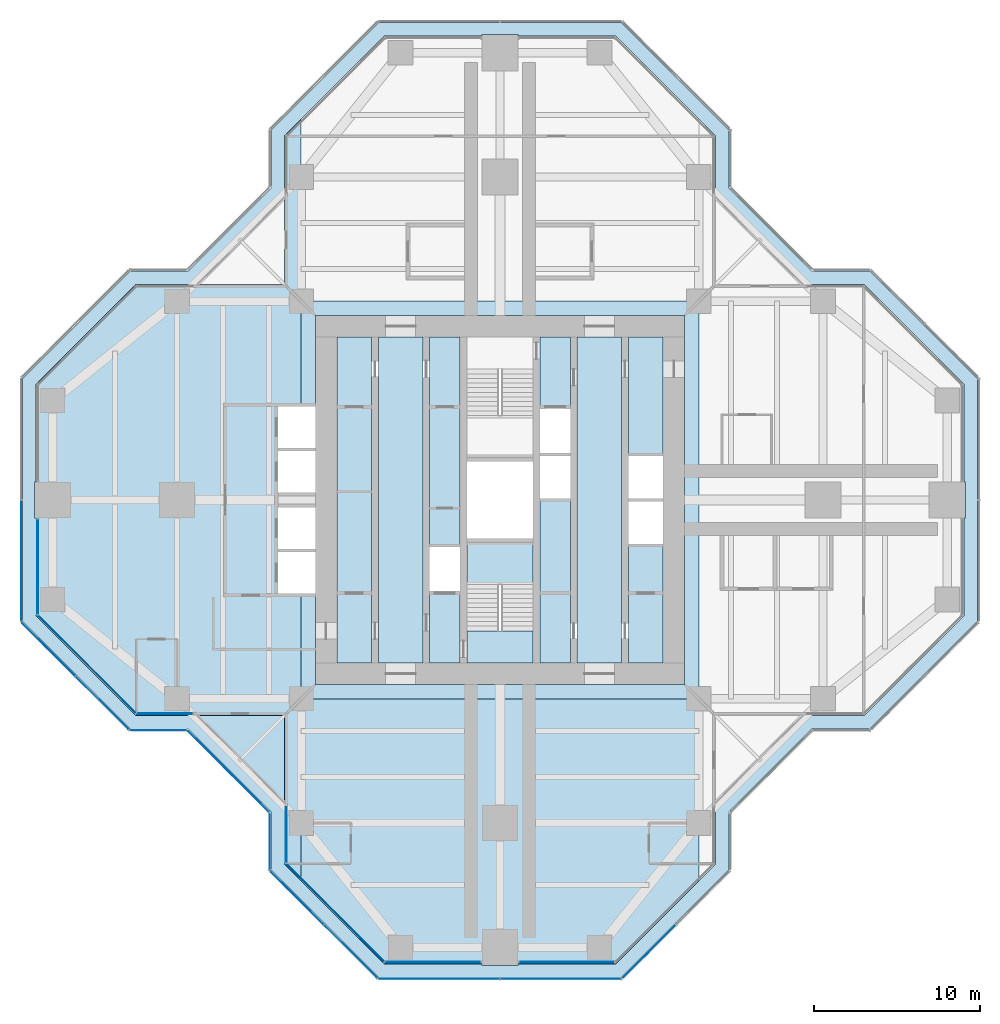
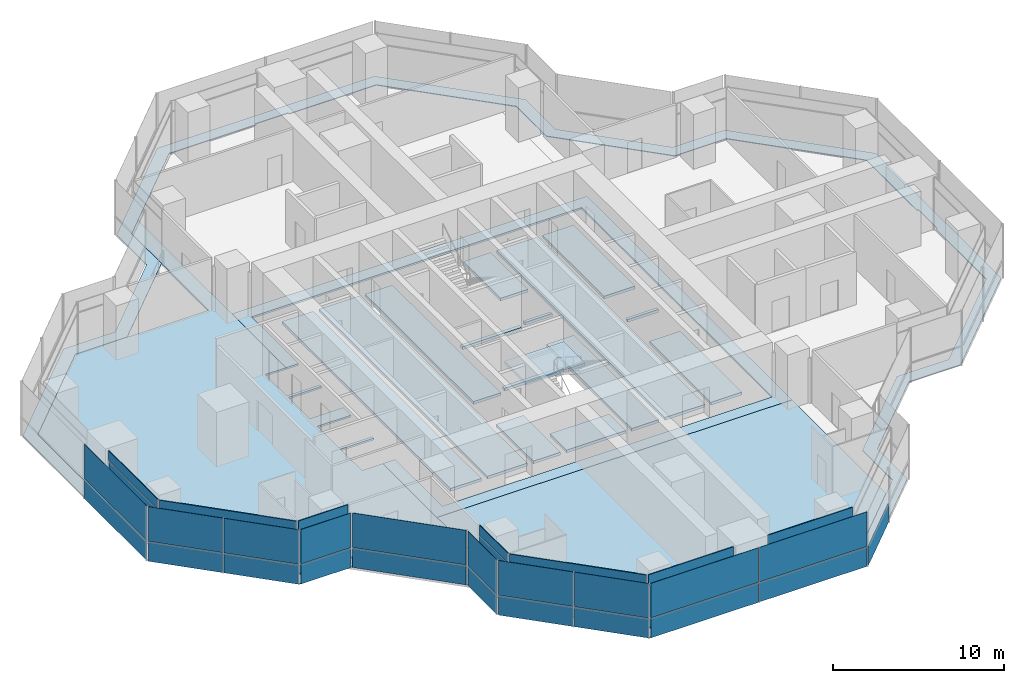
# One storey, part 10 of 17: 36 plates, 7 slabs, 16 elements without a shape of their own.
"""IFC4 building model written with IfcOpenShell, lengths in metres."""

from ifc_helpers import new_model, si_unit, direction, frame, origin, origin_2d, place, context, subcontext, project, spatial, polyline, rectangle, outline, extrude, material, layer, layer_set, type_object, element, aggregate, save


model = new_model("IFC4")

# Units and contexts
model_context = context("Model", 3, precision=1e-05, world=origin(), true_north=direction((0.0, 1.0)))
body_context = subcontext(model_context, "Body", "Model", "MODEL_VIEW")
ifc_project = project(units=[si_unit("LENGTHUNIT", "METRE"), si_unit("AREAUNIT", "SQUARE_METRE"), si_unit("VOLUMEUNIT", "CUBIC_METRE"), si_unit("PLANEANGLEUNIT", "RADIAN"), si_unit("MASSUNIT", "GRAM", prefix="KILO")], contexts=[model_context])

# Site, building, storey
site_placement = place(None, origin())
site = spatial("IfcSite", under=ifc_project, at=site_placement, CompositionType="ELEMENT")
building_placement = place(site_placement, origin())
building = spatial("IfcBuilding", under=site, at=building_placement, Name="Mizan Broadcast Tower", CompositionType="ELEMENT")
storey_placement = place(building_placement, frame((0.0, 0.0, 232.199951171875)))
storey = spatial("IfcBuildingStorey", under=building, at=storey_placement, Name="L54", CompositionType="ELEMENT", Elevation=232.199951171875)

# Plate
ifc_material_1 = material(Name="Aluminium grating", Category="aluminium")
ifc_layer_1 = layer(ifc_material_1, 0.050048828125)
ifc_layer_set_1 = layer_set([ifc_layer_1], Name="Aluminium grating")
plate_type_1 = type_object("IfcPlateType", Name="CAVITY GRATING", PredefinedType="USERDEFINED", material=ifc_layer_set_1)
plate_1_placement = place(storey_placement, frame((0.0, 0.0, -0.050048828125)))
element("IfcPlate", 1, at=plate_1_placement, inside=storey, type_object=plate_type_1, Name="Cavity grating L54", ObjectType="GRATING", PredefinedType="USERDEFINED", context=body_context, shape_type="SweptSolid", body=[
    extrude(outline(polyline([(13.820068359375, -18.839599609375), (18.839599609375, -13.820068359375), (22.339599609375, -13.820068359375), (28.820068359375, -7.339599609375), (28.820068359375, 7.339599609375), (22.339599609375, 13.820068359375), (18.839599609375, 13.820068359375), (13.820068359375, 18.839599609375), (13.820068359375, 22.339599609375), (7.339599609375, 28.820068359375), (-7.339599609375, 28.820068359375), (-13.820068359375, 22.339599609375), (-13.820068359375, 18.839599609375), (-18.839599609375, 13.820068359375), (-22.339599609375, 13.820068359375), (-28.820068359375, 7.339599609375), (-28.820068359375, -7.339599609375), (-22.339599609375, -13.820068359375), (-18.839599609375, -13.820068359375), (-13.820068359375, -18.839599609375), (-13.820068359375, -22.339599609375), (-7.339599609375, -28.820068359375), (7.339599609375, -28.820068359375), (13.820068359375, -22.339599609375), (13.820068359375, -18.839599609375)]), holes=[polyline([(28.0, -1.10009765625), (28.0, -7.0), (22.0, -13.0), (18.5, -13.0), (13.0, -18.5), (13.0, -22.0), (7.0, -28.0), (1.10009765625, -28.0), (1.10009765625, -28.10009765625), (-1.10009765625, -28.10009765625), (-1.10009765625, -28.0), (-7.0, -28.0), (-13.0, -22.0), (-13.0, -18.5), (-18.5, -13.0), (-22.0, -13.0), (-28.0, -7.0), (-28.0, -1.10009765625), (-28.10009765625, -1.10009765625), (-28.10009765625, 1.10009765625), (-28.0, 1.10009765625), (-28.0, 7.0), (-22.0, 13.0), (-18.5, 13.0), (-13.0, 18.5), (-13.0, 22.0), (-7.0, 28.0), (-1.10009765625, 28.0), (-1.10009765625, 28.10009765625), (1.10009765625, 28.10009765625), (1.10009765625, 28.0), (7.0, 28.0), (13.0, 22.0), (13.0, 18.5), (18.5, 13.0), (22.0, 13.0), (28.0, 7.0), (28.0, 1.10009765625), (28.10009765625, 1.10009765625), (28.10009765625, -1.10009765625), (28.0, -1.10009765625)])]), origin(), (0.0, 0.0, 1.0), 0.050048828125),
])

# Slabs
ifc_material_2 = material(Name="Concrete C32/40", Category="concrete")
ifc_layer_2 = layer(ifc_material_2, 0.1298828125)
ifc_layer_set_2 = layer_set([ifc_layer_2], Name="Concrete C32/40")
slab_type_1 = type_object("IfcSlabType", Name="COMPOSITE DECK SLAB 130", PredefinedType="FLOOR", material=ifc_layer_set_2)
slab_1_placement = place(storey_placement, frame((0.0, 0.0, -0.1298828125)))
element("IfcSlab", 2, at=slab_1_placement, inside=storey, type_object=slab_type_1, Name="Floor slab L54 centre", PredefinedType="FLOOR", context=body_context, shape_type="SweptSolid", body=[
    extrude(outline(polyline([(-11.14990234375, -5.64990234375), (-12.0, -5.64990234375), (-12.0, -12.0), (12.0, -12.0), (12.0, 12.0), (-12.0, 12.0), (-12.0, 5.64990234375), (-11.14990234375, 5.64990234375), (-11.14990234375, 11.14990234375), (11.14990234375, 11.14990234375), (11.14990234375, -11.14990234375), (-11.14990234375, -11.14990234375), (-11.14990234375, -5.64990234375)])), origin(), (0.0, 0.0, 1.0), 0.1298828125),
])
slab_2_placement = place(storey_placement, frame((0.0, 0.0, -0.1298828125)))
element("IfcSlab", 3, at=slab_2_placement, inside=storey, type_object=slab_type_1, Name="Floor slab L54 west arm", PredefinedType="FLOOR", context=body_context, shape_type="SweptSolid", body=[
    extrude(outline(polyline([(-22.0, 13.0), (-28.0, 7.0), (-28.0, -7.0), (-22.0, -13.0), (-13.0, -13.0), (-13.0, -22.0), (-12.0, -23.0), (-12.0, -5.64990234375), (-13.39990234375, -5.64990234375), (-13.39990234375, -3.14990234375), (-11.14990234375, -3.14990234375), (-11.14990234375, -2.949951171875), (-13.39990234375, -2.949951171875), (-13.39990234375, -0.449951171875), (-11.14990234375, -0.449951171875), (-11.14990234375, 0.449951171875), (-13.39990234375, 0.449951171875), (-13.39990234375, 2.949951171875), (-11.14990234375, 2.949951171875), (-11.14990234375, 3.14990234375), (-13.39990234375, 3.14990234375), (-13.39990234375, 5.64990234375), (-12.0, 5.64990234375), (-12.0, 23.0), (-13.0, 22.0), (-13.0, 13.0), (-22.0, 13.0)])), origin(), (0.0, 0.0, 1.0), 0.1298828125),
])
slab_3_placement = place(storey_placement, frame((0.0, 0.0, -0.1298828125)))
element("IfcSlab", 4, at=slab_3_placement, inside=storey, type_object=slab_type_1, Name="Floor slab L54 south arm", PredefinedType="FLOOR", context=body_context, shape_type="SweptSolid", body=[
    extrude(outline(polyline([(7.0, -28.0), (12.0, -23.0), (12.0, -12.0), (-12.0, -12.0), (-12.0, -23.0), (-7.0, -28.0), (7.0, -28.0)])), origin(), (0.0, 0.0, 1.0), 0.1298828125),
])
ifc_material_3 = material(Name="Concrete C40/50", Category="concrete")
ifc_layer_3 = layer(ifc_material_3, 0.199951171875)
ifc_layer_set_3 = layer_set([ifc_layer_3], Name="Concrete C40/50")
slab_type_2 = type_object("IfcSlabType", Name="CORE FLOOR 200", PredefinedType="FLOOR", material=ifc_layer_set_3)
slab_4_placement = place(storey_placement, frame((0.0, 0.0, -0.199951171875)))
element("IfcSlab", 5, at=slab_4_placement, inside=storey, type_object=slab_type_2, Name="Core floor L54", PredefinedType="FLOOR", context=body_context, shape_type="SweptSolid", body=[
    extrude(outline(polyline([(-9.85009765625, -9.85009765625), (-7.75, -9.85009765625), (-7.75, 9.85009765625), (-9.85009765625, 9.85009765625), (-9.85009765625, -9.85009765625)])), origin(), (0.0, 0.0, 1.0), 0.199951171875),
    extrude(outline(polyline([(-4.64990234375, 9.85009765625), (-7.35009765625, 9.85009765625), (-7.35009765625, -9.85009765625), (-4.64990234375, -9.85009765625), (-4.64990234375, 9.85009765625)])), origin(), (0.0, 0.0, 1.0), 0.199951171875),
    extrude(outline(polyline([(-4.25, -5.5), (-4.25, -9.85009765625), (-2.39990234375, -9.85009765625), (-2.39990234375, -5.5), (-4.25, -5.5)])), origin(), (0.0, 0.0, 1.0), 0.199951171875),
    extrude(outline(polyline([(-4.25, -2.85009765625), (-2.39990234375, -2.85009765625), (-2.39990234375, 9.85009765625), (-4.25, 9.85009765625), (-4.25, -2.85009765625)])), origin(), (0.0, 0.0, 1.0), 0.199951171875),
    extrude(outline(polyline([(2.0, -2.324951171875), (-2.0, -2.324951171875), (-2.0, -2.574951171875), (2.0, -2.574951171875), (2.0, -2.324951171875)])), origin(), (0.0, 0.0, 1.0), 0.199951171875),
    extrude(outline(polyline([(2.0, 2.574951171875), (-2.0, 2.574951171875), (-2.0, 2.324951171875), (2.0, 2.324951171875), (2.0, 2.574951171875)])), origin(), (0.0, 0.0, 1.0), 0.199951171875),
    extrude(outline(polyline([(4.25, -9.85009765625), (4.25, 0.10009765625), (2.39990234375, 0.10009765625), (2.39990234375, -9.85009765625), (4.25, -9.85009765625)])), origin(), (0.0, 0.0, 1.0), 0.199951171875),
    extrude(outline(polyline([(4.25, 2.64990234375), (4.25, 2.85009765625), (2.39990234375, 2.85009765625), (2.39990234375, 2.64990234375), (4.25, 2.64990234375)])), origin(), (0.0, 0.0, 1.0), 0.199951171875),
    extrude(outline(polyline([(4.25, 5.5), (4.25, 9.85009765625), (2.39990234375, 9.85009765625), (2.39990234375, 5.5), (4.25, 5.5)])), origin(), (0.0, 0.0, 1.0), 0.199951171875),
    extrude(outline(polyline([(4.64990234375, 9.85009765625), (4.64990234375, -9.85009765625), (7.35009765625, -9.85009765625), (7.35009765625, 9.85009765625), (4.64990234375, 9.85009765625)])), origin(), (0.0, 0.0, 1.0), 0.199951171875),
    extrude(outline(polyline([(9.85009765625, -9.85009765625), (9.85009765625, -2.64990234375), (7.75, -2.64990234375), (7.75, -9.85009765625), (9.85009765625, -9.85009765625)])), origin(), (0.0, 0.0, 1.0), 0.199951171875),
    extrude(outline(polyline([(9.85009765625, -0.10009765625), (9.85009765625, 0.10009765625), (7.75, 0.10009765625), (7.75, -0.10009765625), (9.85009765625, -0.10009765625)])), origin(), (0.0, 0.0, 1.0), 0.199951171875),
    extrude(outline(polyline([(7.75, 9.85009765625), (7.75, 2.64990234375), (9.85009765625, 2.64990234375), (9.85009765625, 9.85009765625), (7.75, 9.85009765625)])), origin(), (0.0, 0.0, 1.0), 0.199951171875),
])

# Curtain wall, plate
ifc_material_4 = material(Name="Aluminium framed glazing", Category="aluminium")
curtain_wall_type_1 = type_object("IfcCurtainWallType", Name="INNER SKIN HIGH ZONE", PredefinedType="USERDEFINED", material=ifc_material_4)
curtain_wall_1_placement = place(storey_placement, origin())
curtain_wall_1 = element("IfcCurtainWall", 6, at=curtain_wall_1_placement, inside=storey, type_object=curtain_wall_type_1, Name="Inner skin high zone L54 W end", ObjectType="INNER SKIN HIGH ZONE", PredefinedType="USERDEFINED")
ifc_material_5 = material(Name="Double glazing, clear low-e", Category="glass")
ifc_layer_4 = layer(ifc_material_5, 0.028076171875)
ifc_layer_set_4 = layer_set([ifc_layer_4], Name="Double glazing, clear low-e")
plate_type_2 = type_object("IfcPlateType", Name="INNER SKIN GLAZING UNIT", PredefinedType="CURTAIN_PANEL", material=ifc_layer_set_4)
plate_2_placement = place(storey_placement, frame((-27.89990234375, -4.029296875, 0.0), z_axis=(0.0, 0.0, 1.0), x_axis=(0.0, -1.0, 0.0)))
plate_2 = element("IfcPlate", 7, at=plate_2_placement, type_object=plate_type_2, Name="Inner skin high zone L54 W end panel 1.1", PredefinedType="CURTAIN_PANEL", context=body_context, shape_type="SweptSolid", body=[
    extrude(rectangle(XDim=5.738525390625, YDim=0.028076171875, at=origin_2d()), origin(), (0.0, 0.0, 1.0), 3.0),
])

curtain_wall_2_placement = place(storey_placement, origin())
curtain_wall_2 = element("IfcCurtainWall", 8, at=curtain_wall_2_placement, inside=storey, type_object=curtain_wall_type_1, Name="Inner skin high zone L54 W chamfer", ObjectType="INNER SKIN HIGH ZONE", PredefinedType="USERDEFINED")
plate_3_placement = place(storey_placement, frame((-24.92919921875, -9.92919921875, 0.0), z_axis=(0.0, 0.0, 1.0), x_axis=(0.707106781187, -0.707106781187, 0.0)))
plate_3 = element("IfcPlate", 9, at=plate_3_placement, type_object=plate_type_2, Name="Inner skin high zone L54 W chamfer panel 1.1", PredefinedType="CURTAIN_PANEL", context=body_context, shape_type="SweptSolid", body=[
    extrude(rectangle(XDim=8.282470703125, YDim=0.028076171875, at=origin_2d()), origin(), (0.0, 0.0, 1.0), 3.0),
])

curtain_wall_3_placement = place(storey_placement, origin())
curtain_wall_3 = element("IfcCurtainWall", 10, at=curtain_wall_3_placement, inside=storey, type_object=curtain_wall_type_1, Name="Inner skin high zone L54 W side", ObjectType="INNER SKIN HIGH ZONE", PredefinedType="USERDEFINED")
plate_4_placement = place(storey_placement, frame((-20.229248046875, -12.89990234375, 0.0), z_axis=(0.0, 0.0, 1.0), x_axis=(1.0, 0.0, 0.0)))
plate_4 = element("IfcPlate", 11, at=plate_4_placement, type_object=plate_type_2, Name="Inner skin high zone L54 W side panel 1.1", PredefinedType="CURTAIN_PANEL", context=body_context, shape_type="SweptSolid", body=[
    extrude(rectangle(XDim=3.338623046875, YDim=0.028076171875, at=origin_2d()), origin(), (0.0, 0.0, 1.0), 3.0),
])

curtain_wall_4_placement = place(storey_placement, origin())
curtain_wall_4 = element("IfcCurtainWall", 12, at=curtain_wall_4_placement, inside=storey, type_object=curtain_wall_type_1, Name="Inner skin high zone L54 S side", ObjectType="INNER SKIN HIGH ZONE", PredefinedType="USERDEFINED")
plate_5_placement = place(storey_placement, frame((-12.89990234375, -20.229248046875, 0.0), z_axis=(0.0, 0.0, 1.0), x_axis=(0.0, -1.0, 0.0)))
plate_5 = element("IfcPlate", 13, at=plate_5_placement, type_object=plate_type_2, Name="Inner skin high zone L54 S side panel 1.1", PredefinedType="CURTAIN_PANEL", context=body_context, shape_type="SweptSolid", body=[
    extrude(rectangle(XDim=3.338623046875, YDim=0.028076171875, at=origin_2d()), origin(), (0.0, 0.0, 1.0), 3.0),
])

curtain_wall_5_placement = place(storey_placement, origin())
curtain_wall_5 = element("IfcCurtainWall", 14, at=curtain_wall_5_placement, inside=storey, type_object=curtain_wall_type_1, Name="Inner skin high zone L54 S chamfer", ObjectType="INNER SKIN HIGH ZONE", PredefinedType="USERDEFINED")
plate_6_placement = place(storey_placement, frame((-9.92919921875, -24.92919921875, 0.0), z_axis=(0.0, 0.0, 1.0), x_axis=(0.707106781187, -0.707106781187, 0.0)))
plate_6 = element("IfcPlate", 15, at=plate_6_placement, type_object=plate_type_2, Name="Inner skin high zone L54 S chamfer panel 1.1", PredefinedType="CURTAIN_PANEL", context=body_context, shape_type="SweptSolid", body=[
    extrude(rectangle(XDim=8.282470703125, YDim=0.028076171875, at=origin_2d()), origin(), (0.0, 0.0, 1.0), 3.0),
])

curtain_wall_6_placement = place(storey_placement, origin())
curtain_wall_6 = element("IfcCurtainWall", 16, at=curtain_wall_6_placement, inside=storey, type_object=curtain_wall_type_1, Name="Inner skin high zone L54 S end", ObjectType="INNER SKIN HIGH ZONE", PredefinedType="USERDEFINED")
plate_7_placement = place(storey_placement, frame((-4.029296875, -27.89990234375, 0.0), z_axis=(0.0, 0.0, 1.0), x_axis=(1.0, 0.0, 0.0)))
plate_7 = element("IfcPlate", 17, at=plate_7_placement, type_object=plate_type_2, Name="Inner skin high zone L54 S end panel 1.1", PredefinedType="CURTAIN_PANEL", context=body_context, shape_type="SweptSolid", body=[
    extrude(rectangle(XDim=5.738525390625, YDim=0.028076171875, at=origin_2d()), origin(), (0.0, 0.0, 1.0), 3.0),
])

curtain_wall_7_placement = place(storey_placement, origin())
curtain_wall_7 = element("IfcCurtainWall", 18, at=curtain_wall_7_placement, inside=storey, type_object=curtain_wall_type_1, Name="Inner skin high zone L54 S end", ObjectType="INNER SKIN HIGH ZONE", PredefinedType="USERDEFINED")
plate_8_placement = place(storey_placement, frame((4.029296875, -27.89990234375, 0.0), z_axis=(0.0, 0.0, 1.0), x_axis=(1.0, 0.0, 0.0)))
plate_8 = element("IfcPlate", 19, at=plate_8_placement, type_object=plate_type_2, Name="Inner skin high zone L54 S end panel 1.1", PredefinedType="CURTAIN_PANEL", context=body_context, shape_type="SweptSolid", body=[
    extrude(rectangle(XDim=5.738525390625, YDim=0.028076171875, at=origin_2d()), origin(), (0.0, 0.0, 1.0), 3.0),
])

# Plate
ifc_material_6 = material(Name="Insulated aluminium spandrel panel, pale anodised", Category="aluminium")
ifc_layer_5 = layer(ifc_material_6, 0.050048828125)
ifc_layer_set_5 = layer_set([ifc_layer_5], Name="Insulated aluminium spandrel panel, pale anodised")
plate_type_3 = type_object("IfcPlateType", Name="INNER SKIN SPANDREL PANEL", PredefinedType="CURTAIN_PANEL", material=ifc_layer_set_5)
plate_9_placement = place(storey_placement, frame((-27.89990234375, -4.029296875, 3.06005859375), z_axis=(0.0, 0.0, 1.0), x_axis=(0.0, -1.0, 0.0)))
plate_9 = element("IfcPlate", 20, at=plate_9_placement, type_object=plate_type_3, Name="Inner skin high zone L54 W end panel 1.2", PredefinedType="CURTAIN_PANEL", context=body_context, shape_type="SweptSolid", body=[
    extrude(rectangle(XDim=5.738525390625, YDim=0.050048828125, at=origin_2d()), origin(), (0.0, 0.0, 1.0), 0.7099609375),
])

aggregate(curtain_wall_1, [plate_2, plate_9])

plate_10_placement = place(storey_placement, frame((-24.92919921875, -9.92919921875, 3.06005859375), z_axis=(0.0, 0.0, 1.0), x_axis=(0.707106781187, -0.707106781187, 0.0)))
plate_10 = element("IfcPlate", 21, at=plate_10_placement, type_object=plate_type_3, Name="Inner skin high zone L54 W chamfer panel 1.2", PredefinedType="CURTAIN_PANEL", context=body_context, shape_type="SweptSolid", body=[
    extrude(rectangle(XDim=8.282470703125, YDim=0.050048828125, at=origin_2d()), origin(), (0.0, 0.0, 1.0), 0.7099609375),
])

aggregate(curtain_wall_2, [plate_3, plate_10])

plate_11_placement = place(storey_placement, frame((-20.229248046875, -12.89990234375, 3.06005859375), z_axis=(0.0, 0.0, 1.0), x_axis=(1.0, 0.0, 0.0)))
plate_11 = element("IfcPlate", 22, at=plate_11_placement, type_object=plate_type_3, Name="Inner skin high zone L54 W side panel 1.2", PredefinedType="CURTAIN_PANEL", context=body_context, shape_type="SweptSolid", body=[
    extrude(rectangle(XDim=3.338623046875, YDim=0.050048828125, at=origin_2d()), origin(), (0.0, 0.0, 1.0), 0.7099609375),
])

aggregate(curtain_wall_3, [plate_4, plate_11])

plate_12_placement = place(storey_placement, frame((-12.89990234375, -20.229248046875, 3.06005859375), z_axis=(0.0, 0.0, 1.0), x_axis=(0.0, -1.0, 0.0)))
plate_12 = element("IfcPlate", 23, at=plate_12_placement, type_object=plate_type_3, Name="Inner skin high zone L54 S side panel 1.2", PredefinedType="CURTAIN_PANEL", context=body_context, shape_type="SweptSolid", body=[
    extrude(rectangle(XDim=3.338623046875, YDim=0.050048828125, at=origin_2d()), origin(), (0.0, 0.0, 1.0), 0.7099609375),
])

aggregate(curtain_wall_4, [plate_5, plate_12])

plate_13_placement = place(storey_placement, frame((-9.92919921875, -24.92919921875, 3.06005859375), z_axis=(0.0, 0.0, 1.0), x_axis=(0.707106781187, -0.707106781187, 0.0)))
plate_13 = element("IfcPlate", 24, at=plate_13_placement, type_object=plate_type_3, Name="Inner skin high zone L54 S chamfer panel 1.2", PredefinedType="CURTAIN_PANEL", context=body_context, shape_type="SweptSolid", body=[
    extrude(rectangle(XDim=8.282470703125, YDim=0.050048828125, at=origin_2d()), origin(), (0.0, 0.0, 1.0), 0.7099609375),
])

aggregate(curtain_wall_5, [plate_6, plate_13])

plate_14_placement = place(storey_placement, frame((-4.029296875, -27.89990234375, 3.06005859375), z_axis=(0.0, 0.0, 1.0), x_axis=(1.0, 0.0, 0.0)))
plate_14 = element("IfcPlate", 25, at=plate_14_placement, type_object=plate_type_3, Name="Inner skin high zone L54 S end panel 1.2", PredefinedType="CURTAIN_PANEL", context=body_context, shape_type="SweptSolid", body=[
    extrude(rectangle(XDim=5.738525390625, YDim=0.050048828125, at=origin_2d()), origin(), (0.0, 0.0, 1.0), 0.7099609375),
])

aggregate(curtain_wall_6, [plate_7, plate_14])

plate_15_placement = place(storey_placement, frame((4.029296875, -27.89990234375, 3.06005859375), z_axis=(0.0, 0.0, 1.0), x_axis=(1.0, 0.0, 0.0)))
plate_15 = element("IfcPlate", 26, at=plate_15_placement, type_object=plate_type_3, Name="Inner skin high zone L54 S end panel 1.2", PredefinedType="CURTAIN_PANEL", context=body_context, shape_type="SweptSolid", body=[
    extrude(rectangle(XDim=5.738525390625, YDim=0.050048828125, at=origin_2d()), origin(), (0.0, 0.0, 1.0), 0.7099609375),
])

aggregate(curtain_wall_7, [plate_8, plate_15])

# Curtain wall, plates
ifc_material_7 = material(Name="Aluminium framed glazing", Category="aluminium")
curtain_wall_type_2 = type_object("IfcCurtainWallType", Name="OUTER SKIN", PredefinedType="USERDEFINED", material=ifc_material_7)
curtain_wall_8_placement = place(storey_placement, origin())
curtain_wall_8 = element("IfcCurtainWall", 27, at=curtain_wall_8_placement, inside=storey, type_object=curtain_wall_type_2, Name="Outer skin L54 W chamfer", ObjectType="OUTER SKIN", PredefinedType="USERDEFINED")
ifc_material_8 = material(Name="Laminated clear glass", Category="glass")
ifc_layer_6 = layer(ifc_material_8, 0.02001953125)
ifc_layer_set_6 = layer_set([ifc_layer_6], Name="Laminated clear glass")
plate_type_4 = type_object("IfcPlateType", Name="OUTER SKIN CLEAR GLASS", PredefinedType="CURTAIN_PANEL", material=ifc_layer_set_6)
plate_16_placement = place(storey_placement, frame((-27.254150390625, -9.018798828125, 0.0), z_axis=(0.0, 0.0, 1.0), x_axis=(0.707106781187, -0.707106781187, 0.0)))
plate_16 = element("IfcPlate", 28, at=plate_16_placement, type_object=plate_type_4, Name="Outer skin L54 W chamfer panel 1.1", PredefinedType="CURTAIN_PANEL", context=body_context, shape_type="SweptSolid", body=[
    extrude(rectangle(XDim=4.495361328125, YDim=0.02001953125, at=origin_2d()), origin(), (0.0, 0.0, 1.0), 1.3701171875),
])
plate_17_placement = place(storey_placement, frame((-27.254150390625, -9.018798828125, 1.43017578125), z_axis=(0.0, 0.0, 1.0), x_axis=(0.707106781187, -0.707106781187, 0.0)))
plate_17 = element("IfcPlate", 29, at=plate_17_placement, type_object=plate_type_4, Name="Outer skin L54 W chamfer panel 1.2", PredefinedType="CURTAIN_PANEL", context=body_context, shape_type="SweptSolid", body=[
    extrude(rectangle(XDim=4.495361328125, YDim=0.02001953125, at=origin_2d()), origin(), (0.0, 0.0, 1.0), 2.469970703125),
])

curtain_wall_9_placement = place(storey_placement, origin())
curtain_wall_9 = element("IfcCurtainWall", 30, at=curtain_wall_9_placement, inside=storey, type_object=curtain_wall_type_2, Name="Outer skin L54 W side", ObjectType="OUTER SKIN", PredefinedType="USERDEFINED")
plate_18_placement = place(storey_placement, frame((-20.622802734375, -13.89990234375, 0.0), z_axis=(0.0, 0.0, 1.0), x_axis=(1.0, 0.0, 0.0)))
plate_18 = element("IfcPlate", 31, at=plate_18_placement, type_object=plate_type_4, Name="Outer skin L54 W side panel 1.1", PredefinedType="CURTAIN_PANEL", context=body_context, shape_type="SweptSolid", body=[
    extrude(rectangle(XDim=3.340087890625, YDim=0.02001953125, at=origin_2d()), origin(), (0.0, 0.0, 1.0), 1.3701171875),
])
plate_19_placement = place(storey_placement, frame((-20.622802734375, -13.89990234375, 1.43017578125), z_axis=(0.0, 0.0, 1.0), x_axis=(1.0, 0.0, 0.0)))
plate_19 = element("IfcPlate", 32, at=plate_19_placement, type_object=plate_type_4, Name="Outer skin L54 W side panel 1.2", PredefinedType="CURTAIN_PANEL", context=body_context, shape_type="SweptSolid", body=[
    extrude(rectangle(XDim=3.340087890625, YDim=0.02001953125, at=origin_2d()), origin(), (0.0, 0.0, 1.0), 2.469970703125),
])
aggregate(curtain_wall_9, [plate_18, plate_19])

curtain_wall_10_placement = place(storey_placement, origin())
curtain_wall_10 = element("IfcCurtainWall", 33, at=curtain_wall_10_placement, inside=storey, type_object=curtain_wall_type_2, Name="Outer skin L54 W chamfer", ObjectType="OUTER SKIN", PredefinedType="USERDEFINED")
plate_20_placement = place(storey_placement, frame((-16.386474609375, -16.386474609375, 0.0), z_axis=(0.0, 0.0, 1.0), x_axis=(0.707106781187, -0.707106781187, 0.0)))
plate_20 = element("IfcPlate", 34, at=plate_20_placement, type_object=plate_type_4, Name="Outer skin L54 W chamfer panel 1.1", PredefinedType="CURTAIN_PANEL", context=body_context, shape_type="SweptSolid", body=[
    extrude(rectangle(XDim=6.87255859375, YDim=0.02001953125, at=origin_2d()), origin(), (0.0, 0.0, 1.0), 1.3701171875),
])
plate_21_placement = place(storey_placement, frame((-16.386474609375, -16.386474609375, 1.43017578125), z_axis=(0.0, 0.0, 1.0), x_axis=(0.707106781187, -0.707106781187, 0.0)))
plate_21 = element("IfcPlate", 35, at=plate_21_placement, type_object=plate_type_4, Name="Outer skin L54 W chamfer panel 1.2", PredefinedType="CURTAIN_PANEL", context=body_context, shape_type="SweptSolid", body=[
    extrude(rectangle(XDim=6.87255859375, YDim=0.02001953125, at=origin_2d()), origin(), (0.0, 0.0, 1.0), 2.469970703125),
])
aggregate(curtain_wall_10, [plate_20, plate_21])

curtain_wall_11_placement = place(storey_placement, origin())
curtain_wall_11 = element("IfcCurtainWall", 36, at=curtain_wall_11_placement, inside=storey, type_object=curtain_wall_type_2, Name="Outer skin L54 S side", ObjectType="OUTER SKIN", PredefinedType="USERDEFINED")
plate_22_placement = place(storey_placement, frame((-13.89990234375, -20.622802734375, 0.0), z_axis=(0.0, 0.0, 1.0), x_axis=(0.0, -1.0, 0.0)))
plate_22 = element("IfcPlate", 37, at=plate_22_placement, type_object=plate_type_4, Name="Outer skin L54 S side panel 1.1", PredefinedType="CURTAIN_PANEL", context=body_context, shape_type="SweptSolid", body=[
    extrude(rectangle(XDim=3.340087890625, YDim=0.02001953125, at=origin_2d()), origin(), (0.0, 0.0, 1.0), 1.3701171875),
])
plate_23_placement = place(storey_placement, frame((-13.89990234375, -20.622802734375, 1.43017578125), z_axis=(0.0, 0.0, 1.0), x_axis=(0.0, -1.0, 0.0)))
plate_23 = element("IfcPlate", 38, at=plate_23_placement, type_object=plate_type_4, Name="Outer skin L54 S side panel 1.2", PredefinedType="CURTAIN_PANEL", context=body_context, shape_type="SweptSolid", body=[
    extrude(rectangle(XDim=3.340087890625, YDim=0.02001953125, at=origin_2d()), origin(), (0.0, 0.0, 1.0), 2.469970703125),
])
aggregate(curtain_wall_11, [plate_22, plate_23])

curtain_wall_12_placement = place(storey_placement, origin())
curtain_wall_12 = element("IfcCurtainWall", 39, at=curtain_wall_12_placement, inside=storey, type_object=curtain_wall_type_2, Name="Outer skin L54 S chamfer", ObjectType="OUTER SKIN", PredefinedType="USERDEFINED")
plate_24_placement = place(storey_placement, frame((-12.254150390625, -24.018798828125, 0.0), z_axis=(0.0, 0.0, 1.0), x_axis=(0.707106781187, -0.707106781187, 0.0)))
plate_24 = element("IfcPlate", 40, at=plate_24_placement, type_object=plate_type_4, Name="Outer skin L54 S chamfer panel 1.1", PredefinedType="CURTAIN_PANEL", context=body_context, shape_type="SweptSolid", body=[
    extrude(rectangle(XDim=4.495361328125, YDim=0.02001953125, at=origin_2d()), origin(), (0.0, 0.0, 1.0), 1.3701171875),
])
plate_25_placement = place(storey_placement, frame((-12.254150390625, -24.018798828125, 1.43017578125), z_axis=(0.0, 0.0, 1.0), x_axis=(0.707106781187, -0.707106781187, 0.0)))
plate_25 = element("IfcPlate", 41, at=plate_25_placement, type_object=plate_type_4, Name="Outer skin L54 S chamfer panel 1.2", PredefinedType="CURTAIN_PANEL", context=body_context, shape_type="SweptSolid", body=[
    extrude(rectangle(XDim=4.495361328125, YDim=0.02001953125, at=origin_2d()), origin(), (0.0, 0.0, 1.0), 2.469970703125),
])

curtain_wall_13_placement = place(storey_placement, origin())
curtain_wall_13 = element("IfcCurtainWall", 42, at=curtain_wall_13_placement, inside=storey, type_object=curtain_wall_type_2, Name="Outer skin L54 S end", ObjectType="OUTER SKIN", PredefinedType="USERDEFINED")
plate_26_placement = place(storey_placement, frame((-3.66650390625, -28.89990234375, 0.0), z_axis=(0.0, 0.0, 1.0), x_axis=(1.0, 0.0, 0.0)))
plate_26 = element("IfcPlate", 43, at=plate_26_placement, type_object=plate_type_4, Name="Outer skin L54 S end panel 1.1", PredefinedType="CURTAIN_PANEL", context=body_context, shape_type="SweptSolid", body=[
    extrude(rectangle(XDim=7.252685546875, YDim=0.02001953125, at=origin_2d()), origin(), (0.0, 0.0, 1.0), 1.3701171875),
])
plate_27_placement = place(storey_placement, frame((-3.66650390625, -28.89990234375, 1.43017578125), z_axis=(0.0, 0.0, 1.0), x_axis=(1.0, 0.0, 0.0)))
plate_27 = element("IfcPlate", 44, at=plate_27_placement, type_object=plate_type_4, Name="Outer skin L54 S end panel 1.2", PredefinedType="CURTAIN_PANEL", context=body_context, shape_type="SweptSolid", body=[
    extrude(rectangle(XDim=7.252685546875, YDim=0.02001953125, at=origin_2d()), origin(), (0.0, 0.0, 1.0), 2.469970703125),
])

# Curtain wall, plate
curtain_wall_14_placement = place(storey_placement, origin())
curtain_wall_14 = element("IfcCurtainWall", 45, at=curtain_wall_14_placement, inside=storey, type_object=curtain_wall_type_2, Name="Outer skin L54 S chamfer", ObjectType="OUTER SKIN", PredefinedType="USERDEFINED")
plate_28_placement = place(storey_placement, frame((9.018798828125, -27.254150390625, 0.0), z_axis=(0.0, 0.0, 1.0), x_axis=(0.707106781187, 0.707106781187, 0.0)))
plate_28 = element("IfcPlate", 46, at=plate_28_placement, type_object=plate_type_4, Name="Outer skin L54 S chamfer panel 1.1", PredefinedType="CURTAIN_PANEL", context=body_context, shape_type="SweptSolid", body=[
    extrude(rectangle(XDim=4.495361328125, YDim=0.02001953125, at=origin_2d()), origin(), (0.0, 0.0, 1.0), 1.3701171875),
])
aggregate(curtain_wall_14, [plate_28])

# Curtain wall, plates
curtain_wall_15_placement = place(storey_placement, origin())
curtain_wall_15 = element("IfcCurtainWall", 47, at=curtain_wall_15_placement, inside=storey, type_object=curtain_wall_type_2, Name="Outer skin L54 W end", ObjectType="OUTER SKIN", PredefinedType="USERDEFINED")
ifc_material_9 = material(Name="Perforated aluminium, pale anodised", Category="aluminium")
ifc_layer_7 = layer(ifc_material_9, 0.011962890625)
ifc_layer_set_7 = layer_set([ifc_layer_7], Name="Perforated aluminium, pale anodised")
plate_type_5 = type_object("IfcPlateType", Name="OUTER SKIN PERFORATED SCREEN", PredefinedType="USERDEFINED", material=ifc_layer_set_7)
plate_29_placement = place(storey_placement, frame((-28.89990234375, -3.66650390625, 0.0), z_axis=(0.0, 0.0, 1.0), x_axis=(0.0, -1.0, 0.0)))
plate_29 = element("IfcPlate", 48, at=plate_29_placement, type_object=plate_type_5, Name="Outer skin L54 W end panel 2.1", ObjectType="SCREEN", PredefinedType="USERDEFINED", context=body_context, shape_type="SweptSolid", body=[
    extrude(rectangle(XDim=7.252685546875, YDim=0.011962890625, at=origin_2d()), origin(), (0.0, 0.0, 1.0), 1.3701171875),
])
plate_30_placement = place(storey_placement, frame((-28.89990234375, -3.66650390625, 1.43017578125), z_axis=(0.0, 0.0, 1.0), x_axis=(0.0, -1.0, 0.0)))
plate_30 = element("IfcPlate", 49, at=plate_30_placement, type_object=plate_type_5, Name="Outer skin L54 W end panel 2.2", ObjectType="SCREEN", PredefinedType="USERDEFINED", context=body_context, shape_type="SweptSolid", body=[
    extrude(rectangle(XDim=7.252685546875, YDim=0.011962890625, at=origin_2d()), origin(), (0.0, 0.0, 1.0), 2.469970703125),
])
aggregate(curtain_wall_15, [plate_29, plate_30])

# Plate
plate_31_placement = place(storey_placement, frame((-24.018798828125, -12.254150390625, 0.0), z_axis=(0.0, 0.0, 1.0), x_axis=(0.707106781187, -0.707106781187, 0.0)))
plate_31 = element("IfcPlate", 50, at=plate_31_placement, type_object=plate_type_5, Name="Outer skin L54 W chamfer panel 2.1", ObjectType="SCREEN", PredefinedType="USERDEFINED", context=body_context, shape_type="SweptSolid", body=[
    extrude(rectangle(XDim=4.495361328125, YDim=0.011962890625, at=origin_2d()), origin(), (0.0, 0.0, 1.0), 1.3701171875),
])

plate_32_placement = place(storey_placement, frame((-24.018798828125, -12.254150390625, 1.43017578125), z_axis=(0.0, 0.0, 1.0), x_axis=(0.707106781187, -0.707106781187, 0.0)))
plate_32 = element("IfcPlate", 51, at=plate_32_placement, type_object=plate_type_5, Name="Outer skin L54 W chamfer panel 2.2", ObjectType="SCREEN", PredefinedType="USERDEFINED", context=body_context, shape_type="SweptSolid", body=[
    extrude(rectangle(XDim=4.495361328125, YDim=0.011962890625, at=origin_2d()), origin(), (0.0, 0.0, 1.0), 2.469970703125),
])

aggregate(curtain_wall_8, [plate_16, plate_17, plate_31, plate_32])

plate_33_placement = place(storey_placement, frame((-9.018798828125, -27.254150390625, 0.0), z_axis=(0.0, 0.0, 1.0), x_axis=(0.707106781187, -0.707106781187, 0.0)))
plate_33 = element("IfcPlate", 52, at=plate_33_placement, type_object=plate_type_5, Name="Outer skin L54 S chamfer panel 2.1", ObjectType="SCREEN", PredefinedType="USERDEFINED", context=body_context, shape_type="SweptSolid", body=[
    extrude(rectangle(XDim=4.495361328125, YDim=0.011962890625, at=origin_2d()), origin(), (0.0, 0.0, 1.0), 1.3701171875),
])

plate_34_placement = place(storey_placement, frame((-9.018798828125, -27.254150390625, 1.43017578125), z_axis=(0.0, 0.0, 1.0), x_axis=(0.707106781187, -0.707106781187, 0.0)))
plate_34 = element("IfcPlate", 53, at=plate_34_placement, type_object=plate_type_5, Name="Outer skin L54 S chamfer panel 2.2", ObjectType="SCREEN", PredefinedType="USERDEFINED", context=body_context, shape_type="SweptSolid", body=[
    extrude(rectangle(XDim=4.495361328125, YDim=0.011962890625, at=origin_2d()), origin(), (0.0, 0.0, 1.0), 2.469970703125),
])

aggregate(curtain_wall_12, [plate_24, plate_25, plate_33, plate_34])

plate_35_placement = place(storey_placement, frame((3.66650390625, -28.89990234375, 0.0), z_axis=(0.0, 0.0, 1.0), x_axis=(1.0, 0.0, 0.0)))
plate_35 = element("IfcPlate", 54, at=plate_35_placement, type_object=plate_type_5, Name="Outer skin L54 S end panel 2.1", ObjectType="SCREEN", PredefinedType="USERDEFINED", context=body_context, shape_type="SweptSolid", body=[
    extrude(rectangle(XDim=7.252685546875, YDim=0.011962890625, at=origin_2d()), origin(), (0.0, 0.0, 1.0), 1.3701171875),
])

plate_36_placement = place(storey_placement, frame((3.66650390625, -28.89990234375, 1.43017578125), z_axis=(0.0, 0.0, 1.0), x_axis=(1.0, 0.0, 0.0)))
plate_36 = element("IfcPlate", 55, at=plate_36_placement, type_object=plate_type_5, Name="Outer skin L54 S end panel 2.2", ObjectType="SCREEN", PredefinedType="USERDEFINED", context=body_context, shape_type="SweptSolid", body=[
    extrude(rectangle(XDim=7.252685546875, YDim=0.011962890625, at=origin_2d()), origin(), (0.0, 0.0, 1.0), 2.469970703125),
])

aggregate(curtain_wall_13, [plate_26, plate_27, plate_35, plate_36])

# Stair, slabs
ifc_material_10 = material(Name="Concrete C40/50", Category="concrete")
stair_type = type_object("IfcStairType", Name="EXIT STAIR", PredefinedType="HALF_TURN_STAIR", material=ifc_material_10)
stair_placement = place(storey_placement, origin())
stair = element("IfcStair", 56, at=stair_placement, inside=storey, type_object=stair_type, Name="Stair A L54", PredefinedType="HALF_TURN_STAIR")
ifc_material_11 = material(Name="Concrete C40/50", Category="concrete")
ifc_layer_8 = layer(ifc_material_11, 0.199951171875)
ifc_layer_set_8 = layer_set([ifc_layer_8], Name="Concrete C40/50")
slab_type_3 = type_object("IfcSlabType", Name="STAIR LANDING 200", PredefinedType="LANDING", material=ifc_layer_set_8)
slab_5_placement = place(storey_placement, frame((0.0, 0.0, -0.199951171875)))
slab_5 = element("IfcSlab", 57, at=slab_5_placement, type_object=slab_type_3, Name="A landing 1", PredefinedType="LANDING", context=body_context, shape_type="SweptSolid", body=[
    extrude(outline(polyline([(-2.0, -9.85009765625), (-2.0, -7.89990234375), (2.0, -7.89990234375), (2.0, -9.85009765625), (-2.0, -9.85009765625)])), origin(), (0.0, 0.0, 1.0), 0.199951171875),
])
slab_6_placement = place(storey_placement, frame((0.0, 0.0, 1.75)))
slab_6 = element("IfcSlab", 58, at=slab_6_placement, type_object=slab_type_3, Name="A landing 2", PredefinedType="LANDING", context=body_context, shape_type="SweptSolid", body=[
    extrude(outline(polyline([(-2.0, -5.10009765625), (-2.0, -2.574951171875), (2.0, -2.574951171875), (2.0, -5.10009765625), (-2.0, -5.10009765625)])), origin(), (0.0, 0.0, 1.0), 0.199951171875),
])
aggregate(stair, [slab_5, slab_6])

# Slab
ifc_material_12 = material(Name="Concrete C32/40", Category="concrete")
ifc_layer_9 = layer(ifc_material_12, 0.1298828125)
ifc_layer_set_9 = layer_set([ifc_layer_9], Name="Concrete C32/40")
slab_type_4 = type_object("IfcSlabType", Name="WINTER GARDEN SLAB 130", PredefinedType="FLOOR", material=ifc_layer_set_9)
slab_7_placement = place(storey_placement, frame((0.0, 0.0, -0.1298828125)))
element("IfcSlab", 59, at=slab_7_placement, inside=storey, type_object=slab_type_4, Name="Winter garden slab L54 W", PredefinedType="FLOOR", context=body_context, shape_type="SweptSolid", body=[
    extrude(outline(polyline([(-13.0, -13.0), (-18.5, -13.0), (-13.0, -18.5), (-13.0, -13.0)])), origin(), (0.0, 0.0, 1.0), 0.1298828125),
])

save(model, "model.ifc")
